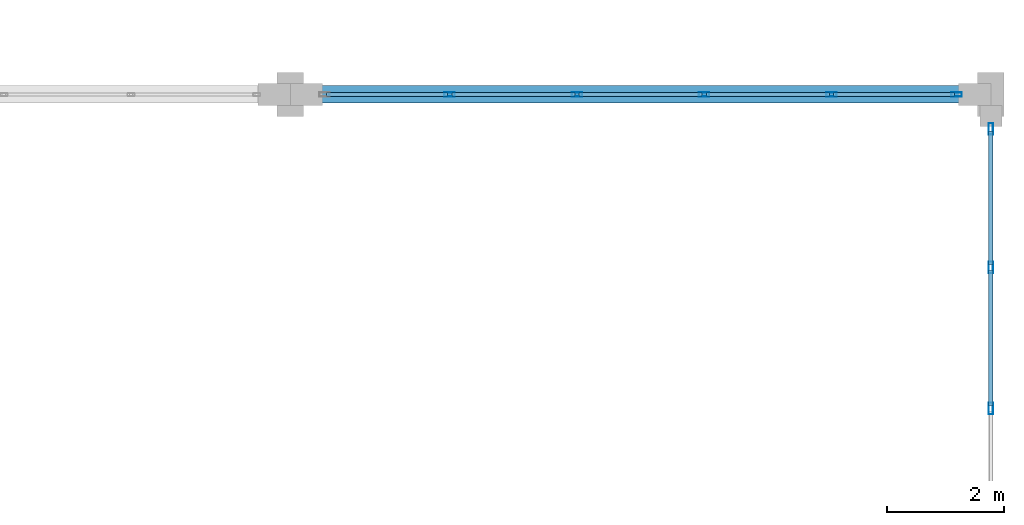
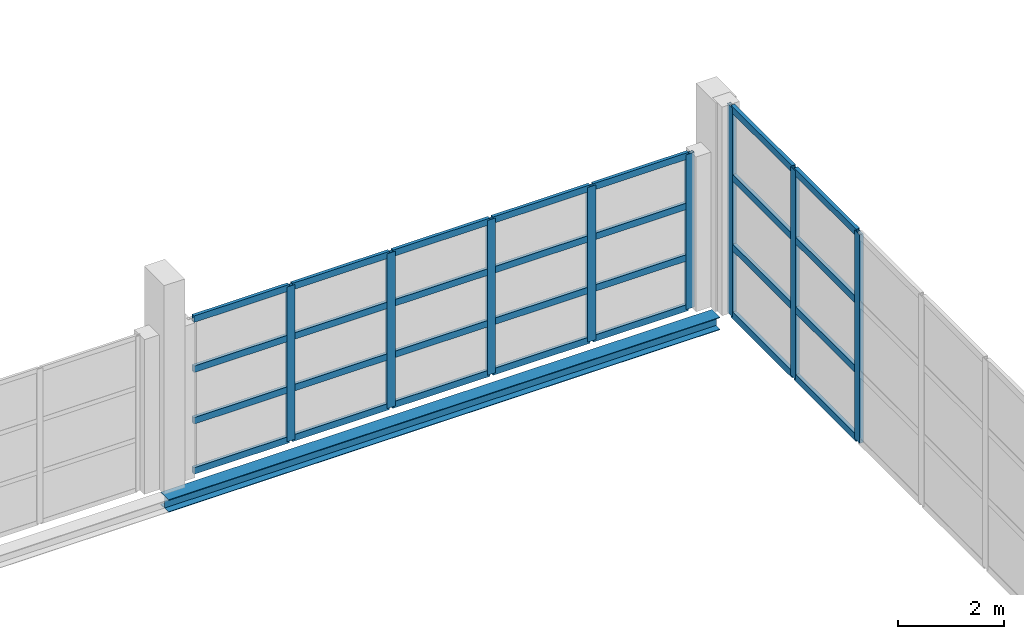
# One storey, part 88 of 147: 36 members, 1 beam, 2 elements without a shape of their own.
"""IFC4 building model written with IfcOpenShell, lengths in metres."""

import ifcopenshell
import ifcopenshell.guid

model = None  # the IFC model being written
_history = None  # IfcOwnerHistory: only IFC2X3 demands one
_inside = {}  # id of a spatial element -> (the spatial element, [elements in it])
_under = {}  # id of a project, library or spatial element -> (it, [spatial elements below it])
_declared = {}  # id of a project -> (the project, [libraries it declares])
_typed = {}  # id of a type object -> (the type object, [elements of that type])
_made_of = {}  # id of a material, layer set ... -> (it, [elements and type objects made of it])


def new_model(schema):
    """Start an empty IFC model of exactly this schema.

    Asked for "IFC4X3", IfcOpenShell would pick the latest addendum, in which some entities
    have other attributes; the version numbers below select the first issue.
    IFC2X3 requires an IfcOwnerHistory on every rooted entity: one is made here for all.
    """
    global model, _history
    if schema == "IFC4X3":
        model = ifcopenshell.file(schema_version=(4, 3, 0, 0))
    else:
        model = ifcopenshell.file(schema=schema)
    _inside.clear()
    _under.clear()
    _declared.clear()
    _typed.clear()
    _made_of.clear()
    _history = None
    if model.schema == "IFC2X3":
        org = make("IfcOrganization", Name="unknown")
        user = make(
            "IfcPersonAndOrganization",
            ThePerson=make("IfcPerson", FamilyName="unknown"),
            TheOrganization=org,
        )
        app = make(
            "IfcApplication",
            ApplicationDeveloper=org,
            Version="unknown",
            ApplicationFullName="unknown",
            ApplicationIdentifier="unknown",
        )
        _history = make(
            "IfcOwnerHistory",
            OwningUser=user,
            OwningApplication=app,
            ChangeAction="ADDED",
            CreationDate=0,
        )
    return model


def make(cls, **values):
    """One entity of the class cls with the attributes given. An attribute that is None is left unset."""
    return model.create_entity(
        cls, **{name: value for name, value in values.items() if value is not None}
    )


def rooted(cls, **values):
    """An entity with a GlobalId (a new one), such as an element, a storey or a relation."""
    return make(cls, GlobalId=ifcopenshell.guid.new(), OwnerHistory=_history, **values)


def si_unit(unit_type, name, prefix=None):
    """IfcSIUnit, for example si_unit("LENGTHUNIT", "METRE", prefix="MILLI")."""
    return make("IfcSIUnit", UnitType=unit_type, Prefix=prefix, Name=name)


def assignment(units):
    """IfcUnitAssignment: the units of a project."""
    return None if units is None else make("IfcUnitAssignment", Units=units)


def point(xyz):
    """IfcCartesianPoint."""
    return None if xyz is None else make("IfcCartesianPoint", Coordinates=xyz)


def direction(xyz):
    """IfcDirection."""
    return None if xyz is None else make("IfcDirection", DirectionRatios=xyz)


def frame(location, z_axis=None, x_axis=None):
    """IfcAxis2Placement3D, a coordinate frame: its origin and axes. An axis left out is left unset."""
    return make(
        "IfcAxis2Placement3D",
        Location=point(location),
        Axis=direction(z_axis),
        RefDirection=direction(x_axis),
    )


def frame_2d(location, x_axis=None):
    """IfcAxis2Placement2D, a coordinate frame in the plane: its origin and x axis."""
    return make(
        "IfcAxis2Placement2D", Location=point(location), RefDirection=direction(x_axis)
    )


def origin():
    """The frame at (0, 0, 0) with its axes left unset."""
    return frame((0.0, 0.0, 0.0))


def origin_2d():
    """The frame at (0, 0) in the plane with its x axis left unset."""
    return frame_2d((0.0, 0.0))


def place(relative_to, where):
    """IfcLocalPlacement: puts the frame where relative to a parent placement (None: the world)."""
    return make(
        "IfcLocalPlacement", PlacementRelTo=relative_to, RelativePlacement=where
    )


def context(
    kind, dimensions, precision=None, world=None, true_north=None, identifier=None
):
    """IfcGeometricRepresentationContext, for example the 3D "Model" context."""
    return make(
        "IfcGeometricRepresentationContext",
        ContextIdentifier=identifier,
        ContextType=kind,
        CoordinateSpaceDimension=dimensions,
        Precision=precision,
        WorldCoordinateSystem=world,
        TrueNorth=true_north,
    )


def subcontext(parent, identifier, kind, view, scale=None):
    """IfcGeometricRepresentationSubContext, for example "Body" below "Model"."""
    return make(
        "IfcGeometricRepresentationSubContext",
        ContextIdentifier=identifier,
        ContextType=kind,
        ParentContext=parent,
        TargetScale=scale,
        TargetView=view,
    )


def project(units=None, contexts=None):
    """IfcProject with its units and contexts."""
    return rooted(
        "IfcProject",
        Name="project",
        RepresentationContexts=contexts,
        UnitsInContext=assignment(units),
    )


def spatial(cls, under=None, at=None, **own):
    """A site, building, storey or space (cls), placed at a placement, below another one or the project."""
    s = rooted(cls, ObjectPlacement=at, **own)
    if under is not None:
        _under.setdefault(under.id(), (under, []))[1].append(s)
    return s


def profile(cls, at=None, kind="AREA", **sizes):
    """A parametric profile (cls). Its sizes go by their IFC names, for example OverallWidth=200.0."""
    return make(cls, ProfileType=kind, Position=at, **sizes)


def hollow_rectangle(**sizes):
    """IfcRectangleHollowProfileDef."""
    return profile("IfcRectangleHollowProfileDef", **sizes)


def i_section(**sizes):
    """IfcIShapeProfileDef."""
    return profile("IfcIShapeProfileDef", **sizes)


def extrude(swept, where, along, depth):
    """IfcExtrudedAreaSolid: the profile swept, set in the frame where, extruded along a direction by depth."""
    return make(
        "IfcExtrudedAreaSolid",
        SweptArea=swept,
        Position=where,
        ExtrudedDirection=direction(along),
        Depth=depth,
    )


def shape(context_of_items, identifier, shape_type, items):
    """IfcShapeRepresentation: the items that make up one representation, for example the "Body"."""
    return make(
        "IfcShapeRepresentation",
        ContextOfItems=context_of_items,
        RepresentationIdentifier=identifier,
        RepresentationType=shape_type,
        Items=items,
    )


def material(Name=None, Category=None):
    """IfcMaterial."""
    return make("IfcMaterial", Name=Name, Category=Category)


def layer(
    of_material, thickness, ventilated=None, Name=None, Category=None, Priority=None
):
    """IfcMaterialLayer: one layer of a wall or slab, of a material (None: an air gap)."""
    return make(
        "IfcMaterialLayer",
        Material=of_material,
        LayerThickness=thickness,
        IsVentilated=ventilated,
        Name=Name,
        Category=Category,
        Priority=Priority,
    )


def layer_set(layers, Name=None):
    """IfcMaterialLayerSet."""
    return make("IfcMaterialLayerSet", MaterialLayers=layers, LayerSetName=Name)


def material_profile(
    of_material, cross_section, Name=None, Category=None, Priority=None
):
    """IfcMaterialProfile: a cross section and its material."""
    return make(
        "IfcMaterialProfile",
        Name=Name,
        Material=of_material,
        Profile=cross_section,
        Priority=Priority,
        Category=Category,
    )


def profile_set(profiles, Name=None, composite=None):
    """IfcMaterialProfileSet."""
    return make(
        "IfcMaterialProfileSet",
        Name=Name,
        MaterialProfiles=profiles,
        CompositeProfile=composite,
    )


def made_of(thing, what):
    """Note that an element or type object is made of a material, layer set ...; save() writes the relation."""
    if what is not None:
        _made_of.setdefault(what.id(), (what, []))[1].append(thing)
    return thing


def type_object(cls, material=None, **own):
    """A type object (cls), such as IfcWallType, which elements share."""
    return made_of(rooted(cls, **own), material)


def element(
    cls,
    number,
    at=None,
    inside=None,
    cuts=None,
    type_object=None,
    material=None,
    context=None,
    identifier="Body",
    shape_type=None,
    held_by="IfcProductDefinitionShape",
    body=None,
    shapes=None,
    **own,
):
    """One element of the class cls, such as IfcWall. Its Tag is "e" and its number.

    at: its placement. inside: the storey or other place that contains it. cuts: it is an
    opening in that element (IfcRelVoidsElement). A single representation is given by context,
    identifier, shape_type and body (its items); several are given by shapes. held_by: the class
    of the entity that holds the representations. save() writes the other relations.
    """
    e = rooted(cls, Tag="e%d" % number, ObjectPlacement=at, **own)
    if body is not None:
        shapes = [shape(context, identifier, shape_type, body)]
    if shapes is not None:
        e.Representation = make(held_by, Representations=shapes)
    if inside is not None:
        _inside.setdefault(inside.id(), (inside, []))[1].append(e)
    if cuts is not None:
        rooted(
            "IfcRelVoidsElement", RelatingBuildingElement=cuts, RelatedOpeningElement=e
        )
    if type_object is not None:
        _typed.setdefault(type_object.id(), (type_object, []))[1].append(e)
    return made_of(e, material)


def aggregate(whole, parts):
    """IfcRelAggregates: a whole, such as a stair, and the parts it consists of."""
    return rooted("IfcRelAggregates", RelatingObject=whole, RelatedObjects=parts)


def save(model, path):
    """Write the relations noted so far, then the file.

    IfcRelAggregates (storeys below a building ...), IfcRelContainedInSpatialStructure (elements
    in a storey), IfcRelDefinesByType, IfcRelAssociatesMaterial and IfcRelDeclares: one each for
    every whole, place, type object, material and project.
    """
    for whole, parts in _under.values():
        aggregate(whole, parts)
    for where, things in _inside.values():
        rooted(
            "IfcRelContainedInSpatialStructure",
            RelatedElements=things,
            RelatingStructure=where,
        )
    for kind, things in _typed.values():
        rooted("IfcRelDefinesByType", RelatedObjects=things, RelatingType=kind)
    for what, things in _made_of.values():
        rooted("IfcRelAssociatesMaterial", RelatedObjects=things, RelatingMaterial=what)
    for by, libraries in _declared.values():
        rooted("IfcRelDeclares", RelatingContext=by, RelatedDefinitions=libraries)
    model.write(path)


model = new_model("IFC4")

# Units and contexts
model_context = context("Model", 3, precision=1e-05, world=origin(), true_north=direction((0.0, 1.0)))
body_context = subcontext(model_context, "Body", "Model", "MODEL_VIEW")
ifc_project = project(units=[si_unit("LENGTHUNIT", "METRE"), si_unit("AREAUNIT", "SQUARE_METRE"), si_unit("VOLUMEUNIT", "CUBIC_METRE"), si_unit("PLANEANGLEUNIT", "RADIAN"), si_unit("MASSUNIT", "GRAM", prefix="KILO")], contexts=[model_context])

# Site, building, storey
site_placement = place(None, origin())
site = spatial("IfcSite", under=ifc_project, at=site_placement, CompositionType="ELEMENT")
building_placement = place(site_placement, origin())
building = spatial("IfcBuilding", under=site, at=building_placement, Name="Zilviju Railside Exhibition Hall", CompositionType="ELEMENT")
storey_placement = place(building_placement, frame((0.0, 0.0, 8.39990234375)))
storey = spatial("IfcBuildingStorey", under=building, at=storey_placement, Name="L03", CompositionType="ELEMENT", Elevation=8.39990234375)

# Beam
ifc_material_1 = material(Name="Steel S355J2", Category="steel")
ifc_material_profile_1 = material_profile(ifc_material_1, i_section(OverallWidth=0.300048828125, OverallDepth=0.2900390625, WebThickness=0.008544921875, FlangeThickness=0.013916015625, at=origin_2d()), Name="HEA 300")
ifc_profile_set_1 = profile_set([ifc_material_profile_1], Name="Steel S355J2")
beam_type = type_object("IfcBeamType", Name="BM-HEA300", PredefinedType="SPANDREL", material=ifc_profile_set_1)
beam_placement = place(storey_placement, frame((204.0, 54.0, -0.48486328125), z_axis=(1.0, 0.0, 0.0), x_axis=(0.0, 1.0, 0.0)))
element("IfcBeam", 1, at=beam_placement, inside=storey, type_object=beam_type, Name="Primary Girder L03 Y=54.0 (204.0..216.0)", PredefinedType="SPANDREL", context=body_context, shape_type="SweptSolid", body=[
    extrude(i_section(OverallWidth=0.300048828125, OverallDepth=0.2900390625, WebThickness=0.008544921875, FlangeThickness=0.013916015625, at=origin_2d()), origin(), (0.0, 0.0, 1.0), 12.0),
])

# Curtain wall, members
ifc_material_2 = material(Name="Thermally broken aluminium-steel triple-glazed curtain wall", Category="steel")
ifc_layer_1 = layer(ifc_material_2, 0.179931640625)
ifc_layer_set_1 = layer_set([ifc_layer_1], Name="Thermally broken aluminium-steel triple-glazed curtain wall")
curtain_wall_type_1 = type_object("IfcCurtainWallType", Name="CW-BAY-15", PredefinedType="USERDEFINED", material=ifc_layer_set_1)
curtain_wall_1_placement = place(storey_placement, origin())
curtain_wall_1 = element("IfcCurtainWall", 2, at=curtain_wall_1_placement, inside=storey, type_object=curtain_wall_type_1, Name="South Hall Garden Court Curtain Wall L03 (204..216)", ObjectType="GLAZED CURTAIN WALL", PredefinedType="USERDEFINED")
ifc_material_3 = material(Name="Thermally broken anodized aluminium mullion", Category="aluminium")
ifc_material_profile_2 = material_profile(ifc_material_3, hollow_rectangle(XDim=0.070068359375, YDim=0.179931640625, WallThickness=0.0048828125, at=origin_2d()), Name="MULLION 180x70x5")
ifc_profile_set_2 = profile_set([ifc_material_profile_2], Name="Thermally broken anodized aluminium mullion")
member_type_1 = type_object("IfcMemberType", Name="CWM-70x180", PredefinedType="MULLION", material=ifc_profile_set_2)
member_1_placement = place(storey_placement, frame((206.72998046875, 54.0, 0.0), z_axis=(0.0, 0.0, 1.0), x_axis=(0.0, 1.0, 0.0)))
member_1 = element("IfcMember", 3, at=member_1_placement, type_object=member_type_1, Name="CW-15 mullion 2", PredefinedType="MULLION", context=body_context, shape_type="SweptSolid", body=[
    extrude(hollow_rectangle(XDim=0.070068359375, YDim=0.179931640625, WallThickness=0.0048828125, at=origin_2d()), origin(), (0.0, 0.0, 1.0), 3.56005859375),
])
member_2_placement = place(storey_placement, frame((208.909912109375, 54.0, 0.0), z_axis=(0.0, 0.0, 1.0), x_axis=(0.0, 1.0, 0.0)))
member_2 = element("IfcMember", 4, at=member_2_placement, type_object=member_type_1, Name="CW-15 mullion 3", PredefinedType="MULLION", context=body_context, shape_type="SweptSolid", body=[
    extrude(hollow_rectangle(XDim=0.070068359375, YDim=0.179931640625, WallThickness=0.0048828125, at=origin_2d()), origin(), (0.0, 0.0, 1.0), 3.56005859375),
])
member_3_placement = place(storey_placement, frame((211.090087890625, 54.0, 0.0), z_axis=(0.0, 0.0, 1.0), x_axis=(0.0, 1.0, 0.0)))
member_3 = element("IfcMember", 5, at=member_3_placement, type_object=member_type_1, Name="CW-15 mullion 4", PredefinedType="MULLION", context=body_context, shape_type="SweptSolid", body=[
    extrude(hollow_rectangle(XDim=0.070068359375, YDim=0.179931640625, WallThickness=0.0048828125, at=origin_2d()), origin(), (0.0, 0.0, 1.0), 3.56005859375),
])
member_4_placement = place(storey_placement, frame((213.27001953125, 54.0, 0.0), z_axis=(0.0, 0.0, 1.0), x_axis=(0.0, 1.0, 0.0)))
member_4 = element("IfcMember", 6, at=member_4_placement, type_object=member_type_1, Name="CW-15 mullion 5", PredefinedType="MULLION", context=body_context, shape_type="SweptSolid", body=[
    extrude(hollow_rectangle(XDim=0.070068359375, YDim=0.179931640625, WallThickness=0.0048828125, at=origin_2d()), origin(), (0.0, 0.0, 1.0), 3.56005859375),
])
member_5_placement = place(storey_placement, frame((215.4150390625, 54.0, 0.0), z_axis=(0.0, 0.0, 1.0), x_axis=(0.0, 1.0, 0.0)))
member_5 = element("IfcMember", 7, at=member_5_placement, type_object=member_type_1, Name="CW-15 mullion 6", PredefinedType="MULLION", context=body_context, shape_type="SweptSolid", body=[
    extrude(hollow_rectangle(XDim=0.070068359375, YDim=0.179931640625, WallThickness=0.0048828125, at=origin_2d()), origin(), (0.0, 0.0, 1.0), 3.56005859375),
])

ifc_layer_2 = layer(ifc_material_2, 0.179931640625)
ifc_layer_set_2 = layer_set([ifc_layer_2], Name="Thermally broken aluminium-steel triple-glazed curtain wall")
curtain_wall_type_2 = type_object("IfcCurtainWallType", Name="CW-BAY-18", PredefinedType="USERDEFINED", material=ifc_layer_set_2)
curtain_wall_2_placement = place(storey_placement, origin())
curtain_wall_2 = element("IfcCurtainWall", 8, at=curtain_wall_2_placement, inside=storey, type_object=curtain_wall_type_2, Name="South Hall East Glazed Gable L03 (36..54)", ObjectType="GLAZED CURTAIN WALL", PredefinedType="USERDEFINED")
ifc_material_profile_3 = material_profile(ifc_material_3, hollow_rectangle(XDim=0.080078125, YDim=0.199951171875, WallThickness=0.0048828125, at=origin_2d()), Name="MULLION 200x80x5")
ifc_profile_set_3 = profile_set([ifc_material_profile_3], Name="Thermally broken anodized aluminium mullion")
member_type_2 = type_object("IfcMemberType", Name="CWM-80x200", PredefinedType="MULLION", material=ifc_profile_set_3)
member_6_placement = place(storey_placement, frame((216.0, 53.409912109375, 0.0), z_axis=(0.0, 0.0, 1.0), x_axis=(1.0, 0.0, 0.0)))
member_6 = element("IfcMember", 9, at=member_6_placement, type_object=member_type_2, Name="CW-18 mullion 1", PredefinedType="MULLION", context=body_context, shape_type="SweptSolid", body=[
    extrude(hollow_rectangle(XDim=0.080078125, YDim=0.199951171875, WallThickness=0.0048828125, at=origin_2d()), origin(), (0.0, 0.0, 1.0), 4.800048828125),
])
member_7_placement = place(storey_placement, frame((216.0, 51.03564453125, 0.0), z_axis=(0.0, 0.0, 1.0), x_axis=(1.0, 0.0, 0.0)))
member_7 = element("IfcMember", 10, at=member_7_placement, type_object=member_type_2, Name="CW-18 mullion 2", PredefinedType="MULLION", context=body_context, shape_type="SweptSolid", body=[
    extrude(hollow_rectangle(XDim=0.080078125, YDim=0.199951171875, WallThickness=0.0048828125, at=origin_2d()), origin(), (0.0, 0.0, 1.0), 4.800048828125),
])
member_8_placement = place(storey_placement, frame((216.0, 48.621337890625, 0.0), z_axis=(0.0, 0.0, 1.0), x_axis=(1.0, 0.0, 0.0)))
member_8 = element("IfcMember", 11, at=member_8_placement, type_object=member_type_2, Name="CW-18 mullion 3", PredefinedType="MULLION", context=body_context, shape_type="SweptSolid", body=[
    extrude(hollow_rectangle(XDim=0.080078125, YDim=0.199951171875, WallThickness=0.0048828125, at=origin_2d()), origin(), (0.0, 0.0, 1.0), 4.800048828125),
])

# Member
ifc_material_4 = material(Name="Thermally broken anodized aluminium transom", Category="aluminium")
ifc_material_profile_4 = material_profile(ifc_material_4, hollow_rectangle(XDim=0.070068359375, YDim=0.14990234375, WallThickness=0.0048828125, at=origin_2d()), Name="TRANSOM 150x70x5")
ifc_profile_set_4 = profile_set([ifc_material_profile_4], Name="Thermally broken anodized aluminium transom")
member_type_3 = type_object("IfcMemberType", Name="CWT-70x150", PredefinedType="USERDEFINED", material=ifc_profile_set_4)
member_9_placement = place(storey_placement, frame((204.6201171875, 54.0, 0.03515625), z_axis=(1.0, 0.0, 0.0), x_axis=(0.0, 1.0, 0.0)))
member_9 = element("IfcMember", 12, at=member_9_placement, type_object=member_type_3, Name="CW-15 transom 1.1", ObjectType="TRANSOM", PredefinedType="USERDEFINED", context=body_context, shape_type="SweptSolid", body=[
    extrude(hollow_rectangle(XDim=0.070068359375, YDim=0.14990234375, WallThickness=0.0048828125, at=origin_2d()), origin(), (0.0, 0.0, 1.0), 2.074951171875),
])

member_10_placement = place(storey_placement, frame((204.6201171875, 54.0, 1.18701171875), z_axis=(1.0, 0.0, 0.0), x_axis=(0.0, 1.0, 0.0)))
member_10 = element("IfcMember", 13, at=member_10_placement, type_object=member_type_3, Name="CW-15 transom 1.2", ObjectType="TRANSOM", PredefinedType="USERDEFINED", context=body_context, shape_type="SweptSolid", body=[
    extrude(hollow_rectangle(XDim=0.070068359375, YDim=0.14990234375, WallThickness=0.0048828125, at=origin_2d()), origin(), (0.0, 0.0, 1.0), 2.074951171875),
])

member_11_placement = place(storey_placement, frame((204.6201171875, 54.0, 2.373046875), z_axis=(1.0, 0.0, 0.0), x_axis=(0.0, 1.0, 0.0)))
member_11 = element("IfcMember", 14, at=member_11_placement, type_object=member_type_3, Name="CW-15 transom 1.3", ObjectType="TRANSOM", PredefinedType="USERDEFINED", context=body_context, shape_type="SweptSolid", body=[
    extrude(hollow_rectangle(XDim=0.070068359375, YDim=0.14990234375, WallThickness=0.0048828125, at=origin_2d()), origin(), (0.0, 0.0, 1.0), 2.074951171875),
])

member_12_placement = place(storey_placement, frame((204.6201171875, 54.0, 3.525146484375), z_axis=(1.0, 0.0, 0.0), x_axis=(0.0, 1.0, 0.0)))
member_12 = element("IfcMember", 15, at=member_12_placement, type_object=member_type_3, Name="CW-15 transom 1.4", ObjectType="TRANSOM", PredefinedType="USERDEFINED", context=body_context, shape_type="SweptSolid", body=[
    extrude(hollow_rectangle(XDim=0.070068359375, YDim=0.14990234375, WallThickness=0.0048828125, at=origin_2d()), origin(), (0.0, 0.0, 1.0), 2.074951171875),
])

member_13_placement = place(storey_placement, frame((206.764892578125, 54.0, 0.03515625), z_axis=(1.0, 0.0, 0.0), x_axis=(0.0, 1.0, 0.0)))
member_13 = element("IfcMember", 16, at=member_13_placement, type_object=member_type_3, Name="CW-15 transom 2.1", ObjectType="TRANSOM", PredefinedType="USERDEFINED", context=body_context, shape_type="SweptSolid", body=[
    extrude(hollow_rectangle(XDim=0.070068359375, YDim=0.14990234375, WallThickness=0.0048828125, at=origin_2d()), origin(), (0.0, 0.0, 1.0), 2.110107421875),
])

member_14_placement = place(storey_placement, frame((206.764892578125, 54.0, 1.18701171875), z_axis=(1.0, 0.0, 0.0), x_axis=(0.0, 1.0, 0.0)))
member_14 = element("IfcMember", 17, at=member_14_placement, type_object=member_type_3, Name="CW-15 transom 2.2", ObjectType="TRANSOM", PredefinedType="USERDEFINED", context=body_context, shape_type="SweptSolid", body=[
    extrude(hollow_rectangle(XDim=0.070068359375, YDim=0.14990234375, WallThickness=0.0048828125, at=origin_2d()), origin(), (0.0, 0.0, 1.0), 2.110107421875),
])

member_15_placement = place(storey_placement, frame((206.764892578125, 54.0, 2.373046875), z_axis=(1.0, 0.0, 0.0), x_axis=(0.0, 1.0, 0.0)))
member_15 = element("IfcMember", 18, at=member_15_placement, type_object=member_type_3, Name="CW-15 transom 2.3", ObjectType="TRANSOM", PredefinedType="USERDEFINED", context=body_context, shape_type="SweptSolid", body=[
    extrude(hollow_rectangle(XDim=0.070068359375, YDim=0.14990234375, WallThickness=0.0048828125, at=origin_2d()), origin(), (0.0, 0.0, 1.0), 2.110107421875),
])

member_16_placement = place(storey_placement, frame((206.764892578125, 54.0, 3.525146484375), z_axis=(1.0, 0.0, 0.0), x_axis=(0.0, 1.0, 0.0)))
member_16 = element("IfcMember", 19, at=member_16_placement, type_object=member_type_3, Name="CW-15 transom 2.4", ObjectType="TRANSOM", PredefinedType="USERDEFINED", context=body_context, shape_type="SweptSolid", body=[
    extrude(hollow_rectangle(XDim=0.070068359375, YDim=0.14990234375, WallThickness=0.0048828125, at=origin_2d()), origin(), (0.0, 0.0, 1.0), 2.110107421875),
])

member_17_placement = place(storey_placement, frame((208.945068359375, 54.0, 0.03515625), z_axis=(1.0, 0.0, 0.0), x_axis=(0.0, 1.0, 0.0)))
member_17 = element("IfcMember", 20, at=member_17_placement, type_object=member_type_3, Name="CW-15 transom 3.1", ObjectType="TRANSOM", PredefinedType="USERDEFINED", context=body_context, shape_type="SweptSolid", body=[
    extrude(hollow_rectangle(XDim=0.070068359375, YDim=0.14990234375, WallThickness=0.0048828125, at=origin_2d()), origin(), (0.0, 0.0, 1.0), 2.10986328125),
])

member_18_placement = place(storey_placement, frame((208.945068359375, 54.0, 1.18701171875), z_axis=(1.0, 0.0, 0.0), x_axis=(0.0, 1.0, 0.0)))
member_18 = element("IfcMember", 21, at=member_18_placement, type_object=member_type_3, Name="CW-15 transom 3.2", ObjectType="TRANSOM", PredefinedType="USERDEFINED", context=body_context, shape_type="SweptSolid", body=[
    extrude(hollow_rectangle(XDim=0.070068359375, YDim=0.14990234375, WallThickness=0.0048828125, at=origin_2d()), origin(), (0.0, 0.0, 1.0), 2.10986328125),
])

member_19_placement = place(storey_placement, frame((208.945068359375, 54.0, 2.373046875), z_axis=(1.0, 0.0, 0.0), x_axis=(0.0, 1.0, 0.0)))
member_19 = element("IfcMember", 22, at=member_19_placement, type_object=member_type_3, Name="CW-15 transom 3.3", ObjectType="TRANSOM", PredefinedType="USERDEFINED", context=body_context, shape_type="SweptSolid", body=[
    extrude(hollow_rectangle(XDim=0.070068359375, YDim=0.14990234375, WallThickness=0.0048828125, at=origin_2d()), origin(), (0.0, 0.0, 1.0), 2.10986328125),
])

member_20_placement = place(storey_placement, frame((208.945068359375, 54.0, 3.525146484375), z_axis=(1.0, 0.0, 0.0), x_axis=(0.0, 1.0, 0.0)))
member_20 = element("IfcMember", 23, at=member_20_placement, type_object=member_type_3, Name="CW-15 transom 3.4", ObjectType="TRANSOM", PredefinedType="USERDEFINED", context=body_context, shape_type="SweptSolid", body=[
    extrude(hollow_rectangle(XDim=0.070068359375, YDim=0.14990234375, WallThickness=0.0048828125, at=origin_2d()), origin(), (0.0, 0.0, 1.0), 2.10986328125),
])

member_21_placement = place(storey_placement, frame((211.125, 54.0, 0.03515625), z_axis=(1.0, 0.0, 0.0), x_axis=(0.0, 1.0, 0.0)))
member_21 = element("IfcMember", 24, at=member_21_placement, type_object=member_type_3, Name="CW-15 transom 4.1", ObjectType="TRANSOM", PredefinedType="USERDEFINED", context=body_context, shape_type="SweptSolid", body=[
    extrude(hollow_rectangle(XDim=0.070068359375, YDim=0.14990234375, WallThickness=0.0048828125, at=origin_2d()), origin(), (0.0, 0.0, 1.0), 2.110107421875),
])

member_22_placement = place(storey_placement, frame((211.125, 54.0, 1.18701171875), z_axis=(1.0, 0.0, 0.0), x_axis=(0.0, 1.0, 0.0)))
member_22 = element("IfcMember", 25, at=member_22_placement, type_object=member_type_3, Name="CW-15 transom 4.2", ObjectType="TRANSOM", PredefinedType="USERDEFINED", context=body_context, shape_type="SweptSolid", body=[
    extrude(hollow_rectangle(XDim=0.070068359375, YDim=0.14990234375, WallThickness=0.0048828125, at=origin_2d()), origin(), (0.0, 0.0, 1.0), 2.110107421875),
])

member_23_placement = place(storey_placement, frame((211.125, 54.0, 2.373046875), z_axis=(1.0, 0.0, 0.0), x_axis=(0.0, 1.0, 0.0)))
member_23 = element("IfcMember", 26, at=member_23_placement, type_object=member_type_3, Name="CW-15 transom 4.3", ObjectType="TRANSOM", PredefinedType="USERDEFINED", context=body_context, shape_type="SweptSolid", body=[
    extrude(hollow_rectangle(XDim=0.070068359375, YDim=0.14990234375, WallThickness=0.0048828125, at=origin_2d()), origin(), (0.0, 0.0, 1.0), 2.110107421875),
])

member_24_placement = place(storey_placement, frame((211.125, 54.0, 3.525146484375), z_axis=(1.0, 0.0, 0.0), x_axis=(0.0, 1.0, 0.0)))
member_24 = element("IfcMember", 27, at=member_24_placement, type_object=member_type_3, Name="CW-15 transom 4.4", ObjectType="TRANSOM", PredefinedType="USERDEFINED", context=body_context, shape_type="SweptSolid", body=[
    extrude(hollow_rectangle(XDim=0.070068359375, YDim=0.14990234375, WallThickness=0.0048828125, at=origin_2d()), origin(), (0.0, 0.0, 1.0), 2.110107421875),
])

member_25_placement = place(storey_placement, frame((213.304931640625, 54.0, 0.03515625), z_axis=(1.0, 0.0, 0.0), x_axis=(0.0, 1.0, 0.0)))
member_25 = element("IfcMember", 28, at=member_25_placement, type_object=member_type_3, Name="CW-15 transom 5.1", ObjectType="TRANSOM", PredefinedType="USERDEFINED", context=body_context, shape_type="SweptSolid", body=[
    extrude(hollow_rectangle(XDim=0.070068359375, YDim=0.14990234375, WallThickness=0.0048828125, at=origin_2d()), origin(), (0.0, 0.0, 1.0), 2.074951171875),
])

member_26_placement = place(storey_placement, frame((213.304931640625, 54.0, 1.18701171875), z_axis=(1.0, 0.0, 0.0), x_axis=(0.0, 1.0, 0.0)))
member_26 = element("IfcMember", 29, at=member_26_placement, type_object=member_type_3, Name="CW-15 transom 5.2", ObjectType="TRANSOM", PredefinedType="USERDEFINED", context=body_context, shape_type="SweptSolid", body=[
    extrude(hollow_rectangle(XDim=0.070068359375, YDim=0.14990234375, WallThickness=0.0048828125, at=origin_2d()), origin(), (0.0, 0.0, 1.0), 2.074951171875),
])

member_27_placement = place(storey_placement, frame((213.304931640625, 54.0, 2.373046875), z_axis=(1.0, 0.0, 0.0), x_axis=(0.0, 1.0, 0.0)))
member_27 = element("IfcMember", 30, at=member_27_placement, type_object=member_type_3, Name="CW-15 transom 5.3", ObjectType="TRANSOM", PredefinedType="USERDEFINED", context=body_context, shape_type="SweptSolid", body=[
    extrude(hollow_rectangle(XDim=0.070068359375, YDim=0.14990234375, WallThickness=0.0048828125, at=origin_2d()), origin(), (0.0, 0.0, 1.0), 2.074951171875),
])

member_28_placement = place(storey_placement, frame((213.304931640625, 54.0, 3.525146484375), z_axis=(1.0, 0.0, 0.0), x_axis=(0.0, 1.0, 0.0)))
member_28 = element("IfcMember", 31, at=member_28_placement, type_object=member_type_3, Name="CW-15 transom 5.4", ObjectType="TRANSOM", PredefinedType="USERDEFINED", context=body_context, shape_type="SweptSolid", body=[
    extrude(hollow_rectangle(XDim=0.070068359375, YDim=0.14990234375, WallThickness=0.0048828125, at=origin_2d()), origin(), (0.0, 0.0, 1.0), 2.074951171875),
])

aggregate(curtain_wall_1, [member_1, member_2, member_3, member_4, member_5, member_9, member_10, member_11, member_12, member_13, member_14, member_15, member_16, member_17, member_18, member_19, member_20, member_21, member_22, member_23, member_24, member_25, member_26, member_27, member_28])

ifc_material_profile_5 = material_profile(ifc_material_4, hollow_rectangle(XDim=0.080078125, YDim=0.159912109375, WallThickness=0.0048828125, at=origin_2d()), Name="TRANSOM 160x80x5")
ifc_profile_set_5 = profile_set([ifc_material_profile_5], Name="Thermally broken anodized aluminium transom")
member_type_4 = type_object("IfcMemberType", Name="CWT-80x160", PredefinedType="USERDEFINED", material=ifc_profile_set_5)
member_29_placement = place(storey_placement, frame((216.0, 53.3701171875, 0.0400390625), z_axis=(0.0, -1.0, 0.0), x_axis=(1.0, 0.0, 0.0)))
member_29 = element("IfcMember", 32, at=member_29_placement, type_object=member_type_4, Name="CW-18 transom 1.1", ObjectType="TRANSOM", PredefinedType="USERDEFINED", context=body_context, shape_type="SweptSolid", body=[
    extrude(hollow_rectangle(XDim=0.080078125, YDim=0.159912109375, WallThickness=0.0048828125, at=origin_2d()), origin(), (0.0, 0.0, 1.0), 2.29443359375),
])

member_30_placement = place(storey_placement, frame((216.0, 53.3701171875, 1.60009765625), z_axis=(0.0, -1.0, 0.0), x_axis=(1.0, 0.0, 0.0)))
member_30 = element("IfcMember", 33, at=member_30_placement, type_object=member_type_4, Name="CW-18 transom 1.2", ObjectType="TRANSOM", PredefinedType="USERDEFINED", context=body_context, shape_type="SweptSolid", body=[
    extrude(hollow_rectangle(XDim=0.080078125, YDim=0.159912109375, WallThickness=0.0048828125, at=origin_2d()), origin(), (0.0, 0.0, 1.0), 2.29443359375),
])

member_31_placement = place(storey_placement, frame((216.0, 53.3701171875, 3.2001953125), z_axis=(0.0, -1.0, 0.0), x_axis=(1.0, 0.0, 0.0)))
member_31 = element("IfcMember", 34, at=member_31_placement, type_object=member_type_4, Name="CW-18 transom 1.3", ObjectType="TRANSOM", PredefinedType="USERDEFINED", context=body_context, shape_type="SweptSolid", body=[
    extrude(hollow_rectangle(XDim=0.080078125, YDim=0.159912109375, WallThickness=0.0048828125, at=origin_2d()), origin(), (0.0, 0.0, 1.0), 2.29443359375),
])

member_32_placement = place(storey_placement, frame((216.0, 53.3701171875, 4.760009765625), z_axis=(0.0, -1.0, 0.0), x_axis=(1.0, 0.0, 0.0)))
member_32 = element("IfcMember", 35, at=member_32_placement, type_object=member_type_4, Name="CW-18 transom 1.4", ObjectType="TRANSOM", PredefinedType="USERDEFINED", context=body_context, shape_type="SweptSolid", body=[
    extrude(hollow_rectangle(XDim=0.080078125, YDim=0.159912109375, WallThickness=0.0048828125, at=origin_2d()), origin(), (0.0, 0.0, 1.0), 2.29443359375),
])

member_33_placement = place(storey_placement, frame((216.0, 50.99560546875, 0.0400390625), z_axis=(0.0, -1.0, 0.0), x_axis=(1.0, 0.0, 0.0)))
member_33 = element("IfcMember", 36, at=member_33_placement, type_object=member_type_4, Name="CW-18 transom 2.1", ObjectType="TRANSOM", PredefinedType="USERDEFINED", context=body_context, shape_type="SweptSolid", body=[
    extrude(hollow_rectangle(XDim=0.080078125, YDim=0.159912109375, WallThickness=0.0048828125, at=origin_2d()), origin(), (0.0, 0.0, 1.0), 2.334228515625),
])

member_34_placement = place(storey_placement, frame((216.0, 50.99560546875, 1.60009765625), z_axis=(0.0, -1.0, 0.0), x_axis=(1.0, 0.0, 0.0)))
member_34 = element("IfcMember", 37, at=member_34_placement, type_object=member_type_4, Name="CW-18 transom 2.2", ObjectType="TRANSOM", PredefinedType="USERDEFINED", context=body_context, shape_type="SweptSolid", body=[
    extrude(hollow_rectangle(XDim=0.080078125, YDim=0.159912109375, WallThickness=0.0048828125, at=origin_2d()), origin(), (0.0, 0.0, 1.0), 2.334228515625),
])

member_35_placement = place(storey_placement, frame((216.0, 50.99560546875, 3.2001953125), z_axis=(0.0, -1.0, 0.0), x_axis=(1.0, 0.0, 0.0)))
member_35 = element("IfcMember", 38, at=member_35_placement, type_object=member_type_4, Name="CW-18 transom 2.3", ObjectType="TRANSOM", PredefinedType="USERDEFINED", context=body_context, shape_type="SweptSolid", body=[
    extrude(hollow_rectangle(XDim=0.080078125, YDim=0.159912109375, WallThickness=0.0048828125, at=origin_2d()), origin(), (0.0, 0.0, 1.0), 2.334228515625),
])

member_36_placement = place(storey_placement, frame((216.0, 50.99560546875, 4.760009765625), z_axis=(0.0, -1.0, 0.0), x_axis=(1.0, 0.0, 0.0)))
member_36 = element("IfcMember", 39, at=member_36_placement, type_object=member_type_4, Name="CW-18 transom 2.4", ObjectType="TRANSOM", PredefinedType="USERDEFINED", context=body_context, shape_type="SweptSolid", body=[
    extrude(hollow_rectangle(XDim=0.080078125, YDim=0.159912109375, WallThickness=0.0048828125, at=origin_2d()), origin(), (0.0, 0.0, 1.0), 2.334228515625),
])

aggregate(curtain_wall_2, [member_6, member_7, member_8, member_29, member_30, member_31, member_32, member_33, member_34, member_35, member_36])

save(model, "model.ifc")
